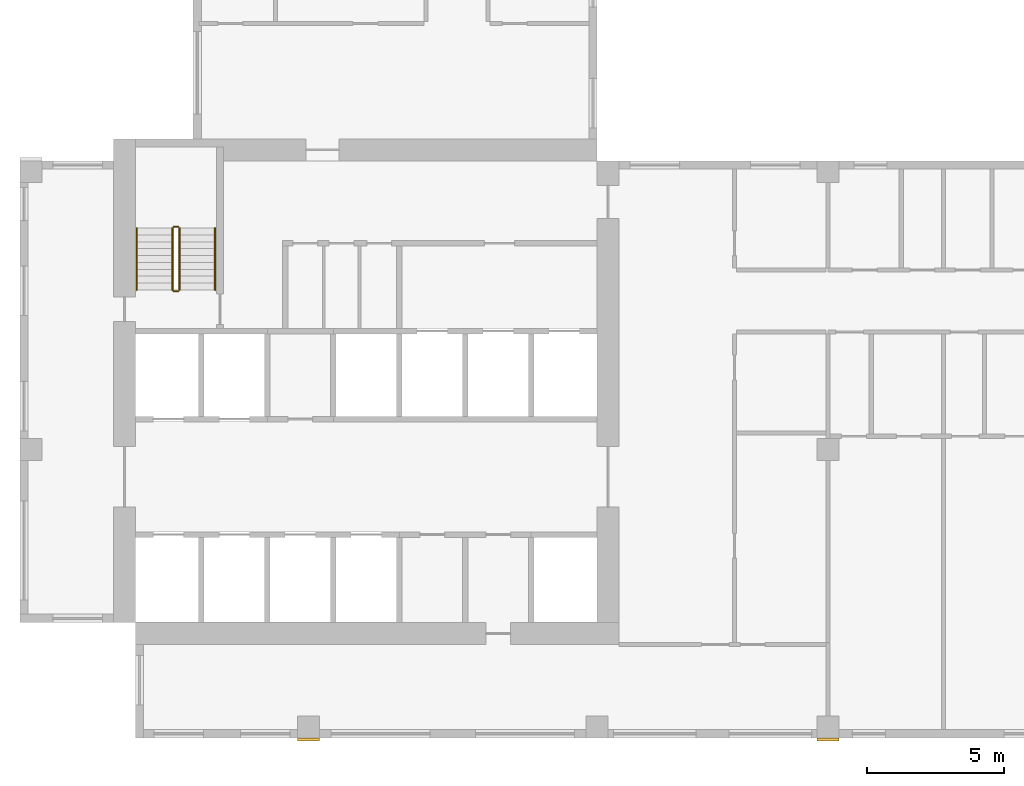
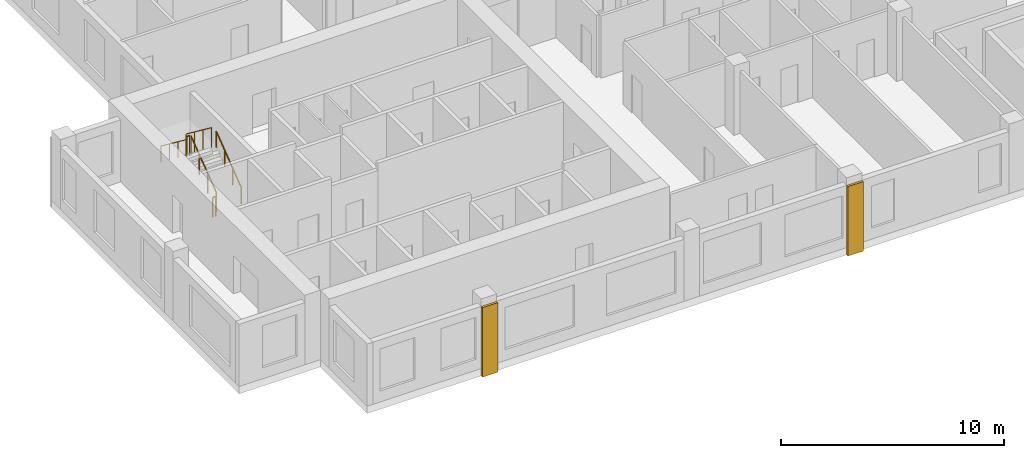
# One storey, part 8 of 11: 6 railings, 2 coverings.
"""IFC4 building model written with IfcOpenShell, lengths in metres."""

from ifc_helpers import new_model, si_unit, direction, frame, origin, origin_2d, place, context, subcontext, project, spatial, rectangle, circle, extrude, source, transform, mapped, material, type_object, element, save


model = new_model("IFC4")

# Units and contexts
model_context = context("Model", 3, precision=1e-05, world=origin(), true_north=direction((0.0, 1.0)))
body_context = subcontext(model_context, "Body", "Model", "MODEL_VIEW")
ifc_project = project(units=[si_unit("LENGTHUNIT", "METRE"), si_unit("AREAUNIT", "SQUARE_METRE"), si_unit("VOLUMEUNIT", "CUBIC_METRE"), si_unit("PLANEANGLEUNIT", "RADIAN"), si_unit("MASSUNIT", "GRAM", prefix="KILO")], contexts=[model_context])

# Site, building, storey
site_placement = place(None, origin())
site = spatial("IfcSite", under=ifc_project, at=site_placement, CompositionType="ELEMENT")
building_placement = place(site_placement, origin())
building = spatial("IfcBuilding", under=site, at=building_placement, Name="Aurelian Terraces", CompositionType="ELEMENT")
storey_placement = place(building_placement, frame((0.0, 0.0, 265.2)))
storey = spatial("IfcBuildingStorey", under=building, at=storey_placement, Name="L61", CompositionType="ELEMENT", Elevation=265.2)

# Coverings
ifc_material_1 = material(Name="Terracotta rainscreen cladding relief", Category="masonry")
covering_type = type_object("IfcCoveringType", Name="BAGUETTE-TC", PredefinedType="CLADDING", material=ifc_material_1)
shared_shape_1 = source(origin(), body_context, "Body", "SweptSolid", [
    extrude(rectangle(XDim=0.8, YDim=0.12, at=origin_2d()), origin(), (0.0, 0.0, 1.0), 3.8),
])
for number, where, z_axis, x_axis, name in (
    (1, (10.5, -0.06, -0.4), (0.0, 0.0, 1.0), (1.0, 0.0, 0.0), "BAGUETTE pier L61 1"),
    (2, (29.4, -0.06, -0.4), (0.0, 0.0, 1.0), (1.0, 0.0, 0.0), "BAGUETTE pier L61 2"),
):
    element("IfcCovering", number, at=place(storey_placement, frame(where, z_axis=z_axis, x_axis=x_axis)), inside=storey, type_object=covering_type, Name=name, PredefinedType="CLADDING", context=body_context, shape_type="MappedRepresentation", body=[
        mapped(shared_shape_1, transform((0.0, 0.0, 0.0), scale=1.0)),
    ])

# Railings
ifc_material_2 = material(Name="Stainless steel", Category="steel")
railing_type_1 = type_object("IfcRailingType", Name="Stair guard 1100", PredefinedType="GUARDRAIL", material=ifc_material_2)
shared_shape_2 = source(origin(), body_context, "Body", "SweptSolid", [
    extrude(circle(Radius=0.024, at=origin_2d()), frame((0.0, 0.0, 1.076), z_axis=(-1.0, 0.0, 0.0), x_axis=(0.0, -1.0, 0.0)), (0.0, 0.0, 1.0), 0.15),
    extrude(circle(Radius=0.021, at=origin_2d()), origin(), (0.0, 0.0, 1.0), 1.052),
    extrude(circle(Radius=0.021, at=origin_2d()), frame((-0.15, 0.0, 0.0)), (0.0, 0.0, 1.0), 1.052),
])
for number, where, name in (
    (3, (5.75, 18.6, 1.9), "L61 S1 stair guard 2"),
    (4, (5.75, 16.25, 0.0), "L61 S1 stair guard 4"),
):
    element("IfcRailing", number, at=place(storey_placement, frame(where)), inside=storey, type_object=railing_type_1, Name=name, PredefinedType="GUARDRAIL", context=body_context, shape_type="MappedRepresentation", body=[
        mapped(shared_shape_2, transform((0.0, 0.0, 0.0), scale=1.0)),
    ])
shared_shape_3 = source(origin(), body_context, "Body", "SweptSolid", [
    extrude(circle(Radius=0.024, at=origin_2d()), frame((0.0, 0.0, 1.076), z_axis=(0.0, 0.796162194123, 0.605083267534), x_axis=(-1.0, 0.0, 0.0)), (0.0, 0.0, 1.0), 2.8261),
    extrude(circle(Radius=0.021, at=origin_2d()), origin(), (0.0, 0.0, 1.0), 1.052),
    extrude(circle(Radius=0.021, at=origin_2d()), frame((0.0, 0.75, 0.57)), (0.0, 0.0, 1.0), 1.052),
    extrude(circle(Radius=0.021, at=origin_2d()), frame((0.0, 1.5, 1.14)), (0.0, 0.0, 1.0), 1.052),
    extrude(circle(Radius=0.021, at=origin_2d()), frame((0.0, 2.25, 1.71)), (0.0, 0.0, 1.0), 1.052),
])
railing_1_placement = place(storey_placement, frame((5.8, 16.3, 0.19)))
element("IfcRailing", 5, at=railing_1_placement, inside=storey, type_object=railing_type_1, Name="L61 S1 stair guard 1", PredefinedType="GUARDRAIL", context=body_context, shape_type="MappedRepresentation", body=[
    mapped(shared_shape_3, transform((0.0, 0.0, 0.0), scale=1.0)),
])
shared_shape_4 = source(origin(), body_context, "Body", "SweptSolid", [
    extrude(circle(Radius=0.024, at=origin_2d()), frame((0.0, 0.0, 1.076), z_axis=(0.0, -0.796162194123, 0.605083267534), x_axis=(1.0, 0.0, 0.0)), (0.0, 0.0, 1.0), 2.8261),
    extrude(circle(Radius=0.021, at=origin_2d()), origin(), (0.0, 0.0, 1.0), 1.052),
    extrude(circle(Radius=0.021, at=origin_2d()), frame((0.0, -0.75, 0.57)), (0.0, 0.0, 1.0), 1.052),
    extrude(circle(Radius=0.021, at=origin_2d()), frame((0.0, -1.5, 1.14)), (0.0, 0.0, 1.0), 1.052),
    extrude(circle(Radius=0.021, at=origin_2d()), frame((0.0, -2.25, 1.71)), (0.0, 0.0, 1.0), 1.052),
])
railing_2_placement = place(storey_placement, frame((5.55, 18.55, 2.09)))
element("IfcRailing", 6, at=railing_2_placement, inside=storey, type_object=railing_type_1, Name="L61 S1 stair guard 3", PredefinedType="GUARDRAIL", context=body_context, shape_type="MappedRepresentation", body=[
    mapped(shared_shape_4, transform((0.0, 0.0, 0.0), scale=1.0)),
])
railing_type_2 = type_object("IfcRailingType", Name="Stair handrail", PredefinedType="HANDRAIL", material=ifc_material_2)
shared_shape_5 = source(origin(), body_context, "Body", "SweptSolid", [
    extrude(circle(Radius=0.024, at=origin_2d()), frame((0.0, 0.0, 0.876), z_axis=(0.0, 0.796162194123, 0.605083267534), x_axis=(-1.0, 0.0, 0.0)), (0.0, 0.0, 1.0), 2.8261),
    extrude(circle(Radius=0.021, at=origin_2d()), origin(), (0.0, 0.0, 1.0), 0.852),
    extrude(circle(Radius=0.021, at=origin_2d()), frame((0.0, 0.75, 0.57)), (0.0, 0.0, 1.0), 0.852),
    extrude(circle(Radius=0.021, at=origin_2d()), frame((0.0, 1.5, 1.14)), (0.0, 0.0, 1.0), 0.852),
    extrude(circle(Radius=0.021, at=origin_2d()), frame((0.0, 2.25, 1.71)), (0.0, 0.0, 1.0), 0.852),
])
railing_3_placement = place(storey_placement, frame((7.1, 16.3, 0.19)))
element("IfcRailing", 7, at=railing_3_placement, inside=storey, type_object=railing_type_2, Name="L61 S1 stair handrail 1", PredefinedType="HANDRAIL", context=body_context, shape_type="MappedRepresentation", body=[
    mapped(shared_shape_5, transform((0.0, 0.0, 0.0), scale=1.0)),
])
shared_shape_6 = source(origin(), body_context, "Body", "SweptSolid", [
    extrude(circle(Radius=0.024, at=origin_2d()), frame((0.0, 0.0, 0.876), z_axis=(0.0, -0.796162194123, 0.605083267534), x_axis=(1.0, 0.0, 0.0)), (0.0, 0.0, 1.0), 2.8261),
    extrude(circle(Radius=0.021, at=origin_2d()), origin(), (0.0, 0.0, 1.0), 0.852),
    extrude(circle(Radius=0.021, at=origin_2d()), frame((0.0, -0.75, 0.57)), (0.0, 0.0, 1.0), 0.852),
    extrude(circle(Radius=0.021, at=origin_2d()), frame((0.0, -1.5, 1.14)), (0.0, 0.0, 1.0), 0.852),
    extrude(circle(Radius=0.021, at=origin_2d()), frame((0.0, -2.25, 1.71)), (0.0, 0.0, 1.0), 0.852),
])
railing_4_placement = place(storey_placement, frame((4.25, 18.55, 2.09)))
element("IfcRailing", 8, at=railing_4_placement, inside=storey, type_object=railing_type_2, Name="L61 S1 stair handrail 2", PredefinedType="HANDRAIL", context=body_context, shape_type="MappedRepresentation", body=[
    mapped(shared_shape_6, transform((0.0, 0.0, 0.0), scale=1.0)),
])

save(model, "model.ifc")
